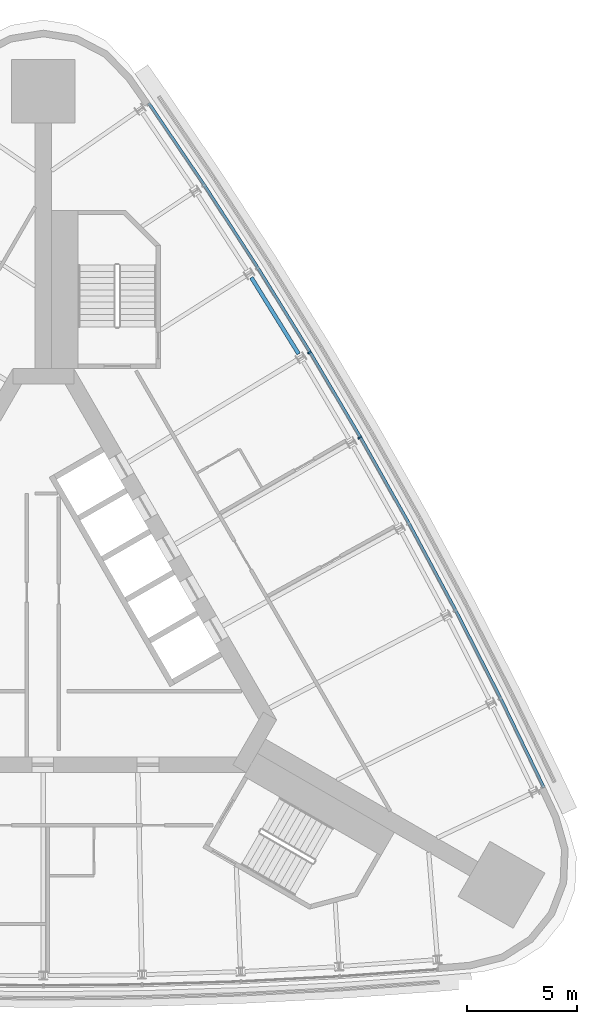
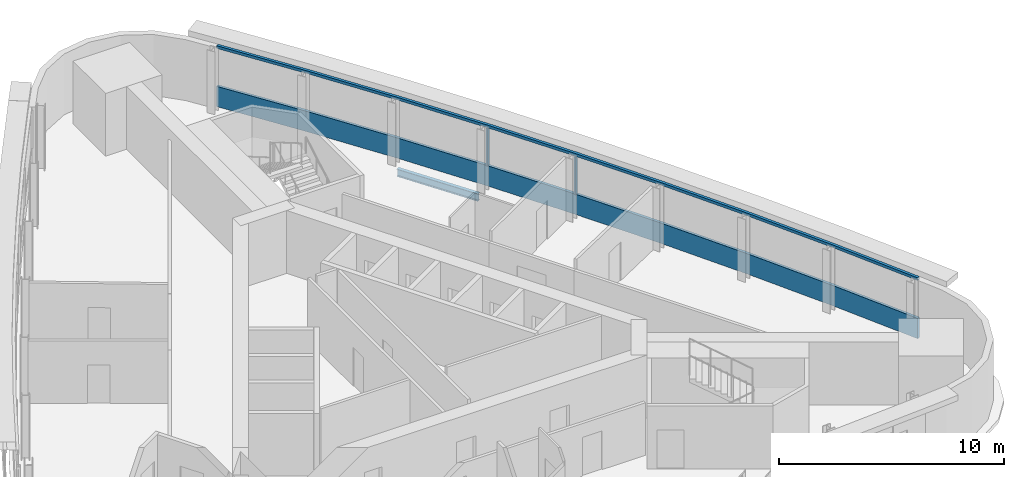
# One storey, part 6 of 13: 4 members, 1 beam, 1 element without a shape of its own.
"""IFC4 building model written with IfcOpenShell, lengths in metres."""

from ifc_helpers import new_model, si_unit, direction, frame, origin, origin_2d, place, context, subcontext, project, spatial, polyline, rectangle, i_section, outline, extrude, material, material_profile, profile_set, type_object, element, aggregate, save


model = new_model("IFC4")

# Units and contexts
model_context = context("Model", 3, precision=1e-05, world=origin(), true_north=direction((0.0, 1.0)))
body_context = subcontext(model_context, "Body", "Model", "MODEL_VIEW")
ifc_project = project(units=[si_unit("LENGTHUNIT", "METRE"), si_unit("AREAUNIT", "SQUARE_METRE"), si_unit("VOLUMEUNIT", "CUBIC_METRE"), si_unit("PLANEANGLEUNIT", "RADIAN"), si_unit("MASSUNIT", "GRAM", prefix="KILO")], contexts=[model_context])

# Site, building, storey
site_placement = place(None, origin())
site = spatial("IfcSite", under=ifc_project, at=site_placement, CompositionType="ELEMENT")
building_placement = place(site_placement, origin())
building = spatial("IfcBuilding", under=site, at=building_placement, Name="Noor Cloister Tower", CompositionType="ELEMENT")
storey_placement = place(building_placement, frame((0.0, 0.0, 140.10009765625)))
storey = spatial("IfcBuildingStorey", under=building, at=storey_placement, Name="L35", CompositionType="ELEMENT", Elevation=140.10009765625)

# Curtain wall, members
ifc_material_1 = material(Name="Aluminium 6063-T6 anodised", Category="aluminium")
curtain_wall_type = type_object("IfcCurtainWallType", Name="Ribbon curtain wall, upper tower CW5", PredefinedType="NOTDEFINED", material=ifc_material_1)
curtain_wall_placement = place(storey_placement, origin())
curtain_wall = element("IfcCurtainWall", 1, at=curtain_wall_placement, inside=storey, type_object=curtain_wall_type, Name="CW5 L35 NE run 3", PredefinedType="NOTDEFINED")
ifc_material_2 = material(Name="Aluminium 6063-T6 anodised", Category="aluminium")
member_type_1 = type_object("IfcMemberType", Name="Head transom CW5 150", PredefinedType="USERDEFINED", material=ifc_material_2)
member_1_placement = place(storey_placement, frame((0.0, 0.0, 3.14990234375)))
member_1 = element("IfcMember", 2, at=member_1_placement, type_object=member_type_1, Name="CW5 head transom", ObjectType="TRANSOM", PredefinedType="USERDEFINED", context=body_context, shape_type="SweptSolid", body=[
    extrude(outline(polyline([(22.833251953125, -7.57861328125), (20.868408203125, -3.5302734375), (18.821044921875, 0.47705078125), (16.69189453125, 4.44140625), (14.482177734375, 8.361328125), (12.1923828125, 12.235107421875), (9.823486328125, 16.06103515625), (7.376953125, 19.837646484375), (4.853271484375, 23.5634765625), (4.7373046875, 23.48486328125), (7.26025390625, 19.76025390625), (9.705322265625, 15.986083984375), (12.072509765625, 12.16259765625), (14.36083984375, 8.291259765625), (16.5693359375, 4.373779296875), (18.697021484375, 0.411865234375), (20.7431640625, -3.5927734375), (22.707275390625, -7.6396484375), (22.833251953125, -7.57861328125)])), origin(), (0.0, 0.0, 1.0), 0.14990234375),
])
ifc_material_3 = material(Name="Aluminium 6063-T6 anodised", Category="aluminium")
ifc_material_profile_1 = material_profile(ifc_material_3, rectangle(XDim=0.179931640625, YDim=0.070068359375, at=origin_2d()), Name="180 x 70 mullion")
ifc_profile_set_1 = profile_set([ifc_material_profile_1], Name="Aluminium 6063-T6 anodised")
member_type_2 = type_object("IfcMemberType", Name="Mullion CW5 70 x 180", PredefinedType="MULLION", material=ifc_profile_set_1)
member_2_placement = place(storey_placement, frame((14.3955078125, 8.311279296875, 1.099853515625), z_axis=(0.0, 0.0, 1.0), x_axis=(-0.866025403784, -0.5, 0.0)))
member_2 = element("IfcMember", 3, at=member_2_placement, type_object=member_type_2, Name="CW5 mullion 5", PredefinedType="MULLION", context=body_context, shape_type="SweptSolid", body=[
    extrude(rectangle(XDim=0.179931640625, YDim=0.070068359375, at=origin_2d()), origin(), (0.0, 0.0, 1.0), 2.050048828125),
])
member_3_placement = place(storey_placement, frame((12.106689453125, 12.183349609375, 1.099853515625), z_axis=(0.0, 0.0, 1.0), x_axis=(-0.855592397057, -0.517650123248, 0.0)))
member_3 = element("IfcMember", 4, at=member_3_placement, type_object=member_type_2, Name="CW5 mullion 6", PredefinedType="MULLION", context=body_context, shape_type="SweptSolid", body=[
    extrude(rectangle(XDim=0.179931640625, YDim=0.070068359375, at=origin_2d()), origin(), (0.0, 0.0, 1.0), 2.050048828125),
])
ifc_material_4 = material(Name="Aluminium 6063-T6 anodised", Category="aluminium")
member_type_3 = type_object("IfcMemberType", Name="Sill transom CW5 1100", PredefinedType="USERDEFINED", material=ifc_material_4)
member_4_placement = place(storey_placement, origin())
member_4 = element("IfcMember", 5, at=member_4_placement, type_object=member_type_3, Name="CW5 sill transom", ObjectType="TRANSOM", PredefinedType="USERDEFINED", context=body_context, shape_type="SweptSolid", body=[
    extrude(outline(polyline([(22.833251953125, -7.57861328125), (20.868408203125, -3.5302734375), (18.821044921875, 0.47705078125), (16.69189453125, 4.44140625), (14.482177734375, 8.361328125), (12.1923828125, 12.235107421875), (9.823486328125, 16.06103515625), (7.376953125, 19.837646484375), (4.853271484375, 23.5634765625), (4.7373046875, 23.48486328125), (7.26025390625, 19.76025390625), (9.705322265625, 15.986083984375), (12.072509765625, 12.16259765625), (14.36083984375, 8.291259765625), (16.5693359375, 4.373779296875), (18.697021484375, 0.411865234375), (20.7431640625, -3.5927734375), (22.707275390625, -7.6396484375), (22.833251953125, -7.57861328125)])), origin(), (0.0, 0.0, 1.0), 1.099853515625),
])
aggregate(curtain_wall, [member_2, member_3, member_4, member_1])

# Beam
ifc_material_5 = material(Name="Steel ASTM A992 Gr 50", Category="steel")
ifc_material_profile_2 = material_profile(ifc_material_5, i_section(OverallWidth=0.177978515625, OverallDepth=0.406005859375, WebThickness=0.0078125, FlangeThickness=0.0126953125, FilletRadius=0.01025390625, at=origin_2d()), Name="W410x60")
ifc_profile_set_2 = profile_set([ifc_material_profile_2], Name="Steel ASTM A992 Gr 50")
beam_type = type_object("IfcBeamType", Name="Spandrel beam W410x60", PredefinedType="SPANDREL", material=ifc_profile_set_2)
beam_placement = place(storey_placement, frame((11.61669921875, 12.119873046875, -0.403076171875), z_axis=(-0.526393660697, 0.850240974065, 0.0), x_axis=(-0.850240974065, -0.526393660697, 0.0)))
element("IfcBeam", 6, at=beam_placement, inside=storey, type_object=beam_type, Name="Spandrel beam NE 06 L35", PredefinedType="SPANDREL", context=body_context, shape_type="SweptSolid", body=[
    extrude(i_section(OverallWidth=0.177978515625, OverallDepth=0.406005859375, WebThickness=0.0078125, FlangeThickness=0.0126953125, FilletRadius=0.01025390625, at=origin_2d()), origin(), (0.0, 0.0, 1.0), 4.08984375),
])

save(model, "model.ifc")
